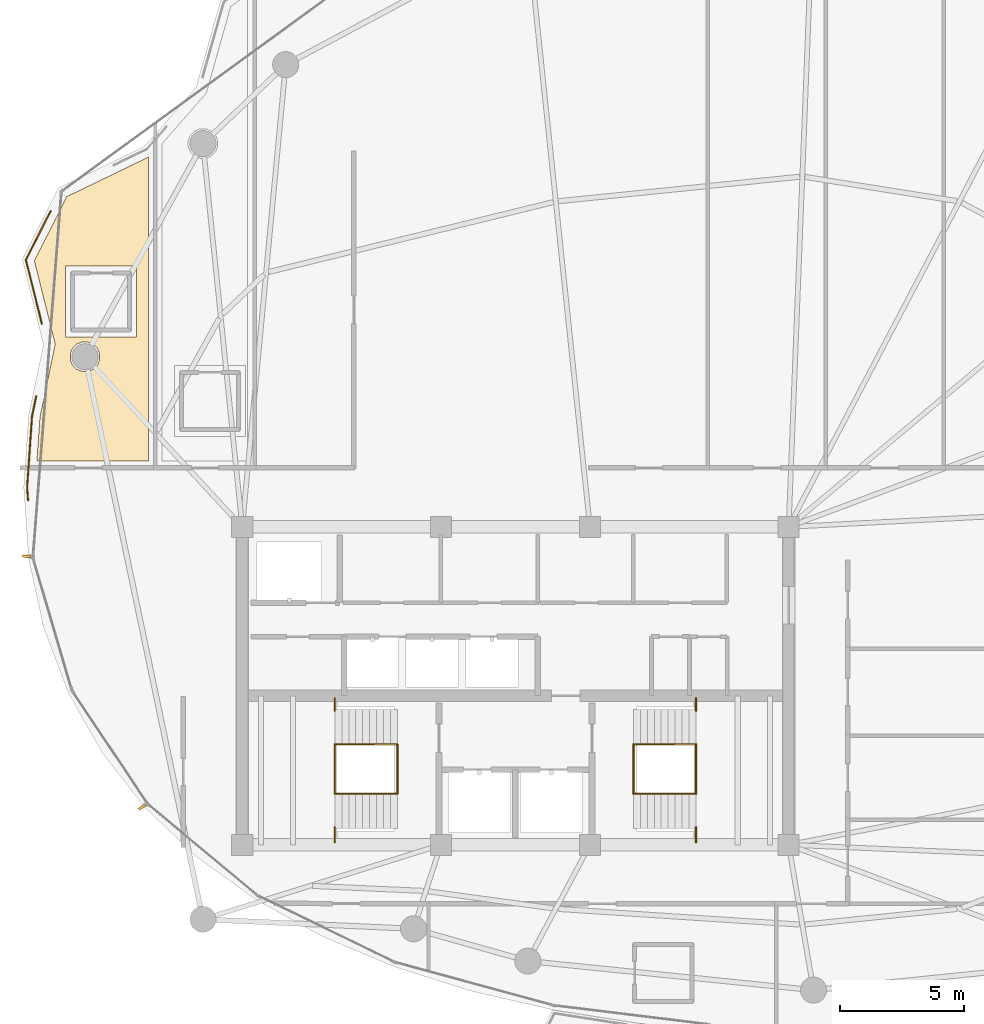
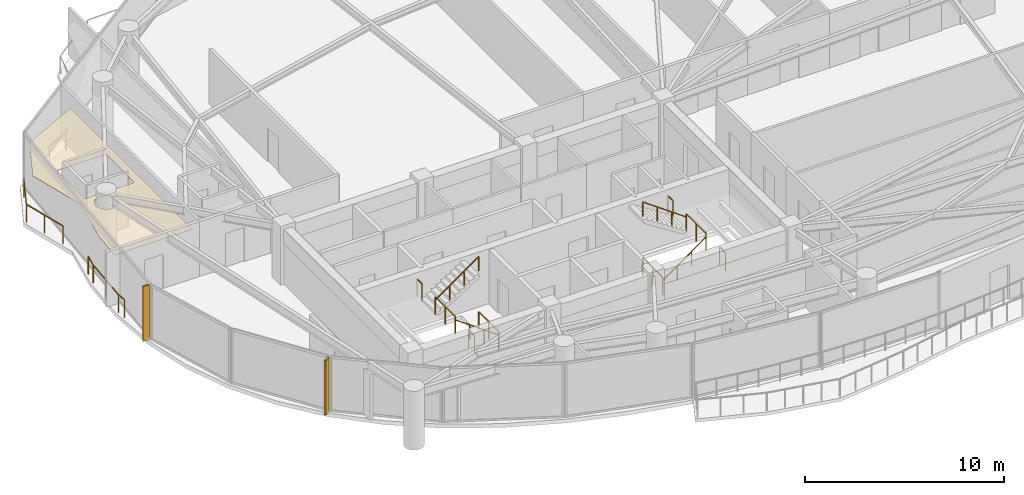
# One storey, part 29 of 31: 14 railings, 2 shading devices, 1 covering.
"""IFC4 building model written with IfcOpenShell, lengths in metres."""

from ifc_helpers import new_model, si_unit, direction, frame, origin, origin_2d, place, context, subcontext, project, spatial, polyline, rectangle, outline, extrude, material, layer, layer_set, type_object, element, save


model = new_model("IFC4")

# Units and contexts
model_context = context("Model", 3, precision=1e-05, world=origin(), true_north=direction((0.0, 1.0)))
body_context = subcontext(model_context, "Body", "Model", "MODEL_VIEW")
ifc_project = project(units=[si_unit("LENGTHUNIT", "METRE"), si_unit("AREAUNIT", "SQUARE_METRE"), si_unit("VOLUMEUNIT", "CUBIC_METRE"), si_unit("PLANEANGLEUNIT", "RADIAN"), si_unit("MASSUNIT", "GRAM", prefix="KILO")], contexts=[model_context])

# Site, building, storey
site_placement = place(None, origin())
site = spatial("IfcSite", under=ifc_project, at=site_placement, CompositionType="ELEMENT")
building_placement = place(site_placement, origin())
building = spatial("IfcBuilding", under=site, at=building_placement, Name="Kazevale Care Tower and Concert Hall", CompositionType="ELEMENT")
storey_placement = place(building_placement, frame((0.0, 0.0, 210.0)))
storey = spatial("IfcBuildingStorey", under=building, at=storey_placement, Name="L55", CompositionType="ELEMENT", Elevation=210.0)

# Covering
ifc_material_1 = material(Name="Acoustic Plaster and Hinoki Wood", Category="wood")
ifc_layer = layer(ifc_material_1, 0.0400390625)
ifc_layer_set = layer_set([ifc_layer], Name="Acoustic Plaster and Hinoki Wood")
covering_type = type_object("IfcCoveringType", Name="Acoustic Perforated Wood-Gypsum Ceiling", PredefinedType="CEILING", material=ifc_layer_set)
covering_placement = place(storey_placement, frame((0.0, 0.0, 2.7099609375)))
element("IfcCovering", 1, at=covering_placement, inside=storey, type_object=covering_type, Name="clg:L55:1", PredefinedType="CEILING", context=body_context, shape_type="SweptSolid", body=[
    extrude(outline(polyline([(13.632080078125, 47.111083984375), (14.93310546875, 49.694091796875), (18.219970703125, 51.285888671875), (18.219970703125, 39.054931640625), (13.73388671875, 39.054931640625), (13.85693359375, 40.824951171875), (14.468994140625, 43.75), (13.632080078125, 47.111083984375)]), holes=[polyline([(14.887939453125, 46.905029296875), (14.887939453125, 44.044921875), (17.748046875, 44.044921875), (17.748046875, 46.905029296875), (14.887939453125, 46.905029296875)]), polyline([(16.262939453125, 43.367919921875), (16.173095703125, 43.5859375), (16.006103515625, 43.7529296875), (15.7880859375, 43.843017578125), (15.552001953125, 43.843017578125), (15.333984375, 43.7529296875), (15.1669921875, 43.5859375), (15.076904296875, 43.367919921875), (15.076904296875, 43.132080078125), (15.1669921875, 42.9140625), (15.333984375, 42.7470703125), (15.552001953125, 42.656982421875), (15.7880859375, 42.656982421875), (16.006103515625, 42.7470703125), (16.173095703125, 42.9140625), (16.262939453125, 43.132080078125), (16.262939453125, 43.367919921875)])]), origin(), (0.0, 0.0, 1.0), 0.0400390625),
])

# Railings
ifc_material_2 = material(Name="Anodised Bronze Aluminium and Laminated Glass", Category="aluminium")
railing_type_1 = type_object("IfcRailingType", Name="Balcony and Terrace Balustrade 1120", PredefinedType="BALUSTRADE", material=ifc_material_2)
railing_1_placement = place(storey_placement, frame((13.3779296875, 37.467041015625, 0.0)))
element("IfcRailing", 2, at=railing_1_placement, inside=storey, type_object=railing_type_1, Name="rail:L55:perim:1", PredefinedType="BALUSTRADE", context=body_context, shape_type="SweptSolid", body=[
    extrude(rectangle(XDim=0.048095703125, YDim=0.048095703125, at=origin_2d()), frame((0.0, 0.0, 1.09619140625), z_axis=(-0.070824900757, 0.997488763562, 0.0), x_axis=(-0.997488763562, -0.070824900757, 0.0)), (0.0, 0.0, 1.0), 0.5341796875),
    extrude(rectangle(XDim=0.048095703125, YDim=0.048095703125, at=origin_2d()), frame((-0.037841796875, 0.532958984375, 1.09619140625), z_axis=(0.069189590327, 0.997603528758, 0.0), x_axis=(-0.997603528758, 0.069189590327, 0.0)), (0.0, 0.0, 1.0), 2.875732421875),
    extrude(rectangle(XDim=0.048095703125, YDim=0.048095703125, at=origin_2d()), frame((0.1611328125, 3.40185546875, 1.09619140625), z_axis=(0.204489697566, 0.978868716218, 0.0), x_axis=(-0.978868716218, 0.204489697566, 0.0)), (0.0, 0.0, 1.0), 0.801025390625),
    extrude(rectangle(XDim=0.0419921875, YDim=0.0419921875, at=origin_2d()), origin(), (0.0, 0.0, 1.0), 1.072021484375),
    extrude(rectangle(XDim=0.0419921875, YDim=0.0419921875, at=origin_2d()), frame((-0.037841796875, 0.532958984375, 0.0)), (0.0, 0.0, 1.0), 1.072021484375),
    extrude(rectangle(XDim=0.0419921875, YDim=0.0419921875, at=origin_2d()), frame((0.0615234375, 1.96728515625, 0.0)), (0.0, 0.0, 1.0), 1.072021484375),
    extrude(rectangle(XDim=0.0419921875, YDim=0.0419921875, at=origin_2d()), frame((0.1611328125, 3.40185546875, 0.0)), (0.0, 0.0, 1.0), 1.072021484375),
    extrude(rectangle(XDim=0.0419921875, YDim=0.0419921875, at=origin_2d()), frame((0.324951171875, 4.18603515625, 0.0)), (0.0, 0.0, 1.0), 1.072021484375),
])
railing_2_placement = place(storey_placement, frame((13.930908203125, 44.5849609375, 0.0)))
element("IfcRailing", 3, at=railing_2_placement, inside=storey, type_object=railing_type_1, Name="rail:L55:perim:2", PredefinedType="BALUSTRADE", context=body_context, shape_type="SweptSolid", body=[
    extrude(rectangle(XDim=0.048095703125, YDim=0.048095703125, at=origin_2d()), frame((0.0, 0.0, 1.09619140625), z_axis=(-0.241796398664, 0.970327007556, 0.0), x_axis=(-0.970327007556, -0.241796398664, 0.0)), (0.0, 0.0, 1.0), 2.642333984375),
    extrude(rectangle(XDim=0.048095703125, YDim=0.048095703125, at=origin_2d()), frame((-0.638916015625, 2.56396484375, 1.09619140625), z_axis=(0.450269666924, 0.892892617871, 0.0), x_axis=(-0.892892617871, 0.450269666924, 0.0)), (0.0, 0.0, 1.0), 2.202880859375),
    extrude(rectangle(XDim=0.0419921875, YDim=0.0419921875, at=origin_2d()), origin(), (0.0, 0.0, 1.0), 1.072021484375),
    extrude(rectangle(XDim=0.0419921875, YDim=0.0419921875, at=origin_2d()), frame((-0.3193359375, 1.281982421875, 0.0)), (0.0, 0.0, 1.0), 1.072021484375),
    extrude(rectangle(XDim=0.0419921875, YDim=0.0419921875, at=origin_2d()), frame((-0.638916015625, 2.56396484375, 0.0)), (0.0, 0.0, 1.0), 1.072021484375),
    extrude(rectangle(XDim=0.0419921875, YDim=0.0419921875, at=origin_2d()), frame((0.35302734375, 4.531005859375, 0.0)), (0.0, 0.0, 1.0), 1.072021484375),
])
ifc_material_3 = material(Name="Stainless Steel 316", Category="steel")
railing_type_2 = type_object("IfcRailingType", Name="Stair Pitch Handrail 920", PredefinedType="HANDRAIL", material=ifc_material_3)
railing_3_placement = place(storey_placement, frame((28.25, 25.64990234375, 0.0)))
element("IfcRailing", 4, at=railing_3_placement, inside=storey, type_object=railing_type_2, Name="stair:L55:ST1:hr1", PredefinedType="HANDRAIL", context=body_context, shape_type="SweptSolid", body=[
    extrude(rectangle(XDim=0.048095703125, YDim=0.048095703125, at=origin_2d()), frame((0.0, 0.0, 0.89599609375), z_axis=(-0.813728144527, 0.0, 0.581245650998), x_axis=(0.0, -1.0, 0.0)), (0.0, 0.0, 1.0), 3.096923828125),
    extrude(rectangle(XDim=0.0419921875, YDim=0.0419921875, at=origin_2d()), origin(), (0.0, 0.0, 1.0), 0.871826171875),
    extrude(rectangle(XDim=0.0419921875, YDim=0.0419921875, at=origin_2d()), frame((-0.840087890625, 0.0, 0.60009765625)), (0.0, 0.0, 1.0), 0.871826171875),
    extrude(rectangle(XDim=0.0419921875, YDim=0.0419921875, at=origin_2d()), frame((-1.679931640625, 0.0, 1.199951171875)), (0.0, 0.0, 1.0), 0.871826171875),
    extrude(rectangle(XDim=0.0419921875, YDim=0.0419921875, at=origin_2d()), frame((-2.52001953125, 0.0, 1.800048828125)), (0.0, 0.0, 1.0), 0.871826171875),
])
for number, where, name in (
    (5, (25.72998046875, 27.64990234375, 1.800048828125), "stair:L55:ST1:hr2"),
    (6, (37.75, 25.64990234375, 0.0), "stair:L55:ST2:hr1"),
):
    element("IfcRailing", number, at=place(storey_placement, frame(where)), inside=storey, type_object=railing_type_2, Name=name, PredefinedType="HANDRAIL", context=body_context, shape_type="SweptSolid", body=[
        extrude(rectangle(XDim=0.048095703125, YDim=0.048095703125, at=origin_2d()), frame((0.0, 0.0, 0.89599609375), z_axis=(0.813728144527, 0.0, 0.581245650998), x_axis=(0.0, 1.0, 0.0)), (0.0, 0.0, 1.0), 3.096923828125),
        extrude(rectangle(XDim=0.0419921875, YDim=0.0419921875, at=origin_2d()), origin(), (0.0, 0.0, 1.0), 0.871826171875),
        extrude(rectangle(XDim=0.0419921875, YDim=0.0419921875, at=origin_2d()), frame((0.840087890625, 0.0, 0.60009765625)), (0.0, 0.0, 1.0), 0.871826171875),
        extrude(rectangle(XDim=0.0419921875, YDim=0.0419921875, at=origin_2d()), frame((1.679931640625, 0.0, 1.199951171875)), (0.0, 0.0, 1.0), 0.871826171875),
        extrude(rectangle(XDim=0.0419921875, YDim=0.0419921875, at=origin_2d()), frame((2.52001953125, 0.0, 1.800048828125)), (0.0, 0.0, 1.0), 0.871826171875),
    ])
railing_4_placement = place(storey_placement, frame((40.27001953125, 27.64990234375, 1.800048828125)))
element("IfcRailing", 7, at=railing_4_placement, inside=storey, type_object=railing_type_2, Name="stair:L55:ST2:hr2", PredefinedType="HANDRAIL", context=body_context, shape_type="SweptSolid", body=[
    extrude(rectangle(XDim=0.048095703125, YDim=0.048095703125, at=origin_2d()), frame((0.0, 0.0, 0.89599609375), z_axis=(-0.813728144527, 0.0, 0.581245650998), x_axis=(0.0, -1.0, 0.0)), (0.0, 0.0, 1.0), 3.096923828125),
    extrude(rectangle(XDim=0.0419921875, YDim=0.0419921875, at=origin_2d()), origin(), (0.0, 0.0, 1.0), 0.871826171875),
    extrude(rectangle(XDim=0.0419921875, YDim=0.0419921875, at=origin_2d()), frame((-0.840087890625, 0.0, 0.60009765625)), (0.0, 0.0, 1.0), 0.871826171875),
    extrude(rectangle(XDim=0.0419921875, YDim=0.0419921875, at=origin_2d()), frame((-1.679931640625, 0.0, 1.199951171875)), (0.0, 0.0, 1.0), 0.871826171875),
    extrude(rectangle(XDim=0.0419921875, YDim=0.0419921875, at=origin_2d()), frame((-2.52001953125, 0.0, 1.800048828125)), (0.0, 0.0, 1.0), 0.871826171875),
])
railing_type_3 = type_object("IfcRailingType", Name="Stair Well Guard Balustrade 1120", PredefinedType="BALUSTRADE", material=ifc_material_3)
railing_5_placement = place(storey_placement, frame((25.72998046875, 23.699951171875, 1.800048828125)))
element("IfcRailing", 8, at=railing_5_placement, inside=storey, type_object=railing_type_3, Name="stair:L55:ST1:grd_side1", PredefinedType="BALUSTRADE", context=body_context, shape_type="SweptSolid", body=[
    extrude(rectangle(XDim=0.048095703125, YDim=0.048095703125, at=origin_2d()), frame((0.0, 0.0, 1.09619140625), z_axis=(0.0, 1.0, 0.0), x_axis=(-1.0, 0.0, 0.0)), (0.0, 0.0, 1.0), 0.610107421875),
    extrude(rectangle(XDim=0.0419921875, YDim=0.0419921875, at=origin_2d()), origin(), (0.0, 0.0, 1.0), 1.072021484375),
    extrude(rectangle(XDim=0.0419921875, YDim=0.0419921875, at=origin_2d()), frame((0.0, 0.610107421875, 0.0)), (0.0, 0.0, 1.0), 1.072021484375),
])
railing_6_placement = place(storey_placement, frame((25.72998046875, 28.989990234375, 1.800048828125)))
element("IfcRailing", 9, at=railing_6_placement, inside=storey, type_object=railing_type_3, Name="stair:L55:ST1:grd_side2", PredefinedType="BALUSTRADE", context=body_context, shape_type="SweptSolid", body=[
    extrude(rectangle(XDim=0.048095703125, YDim=0.048095703125, at=origin_2d()), frame((0.0, 0.0, 1.09619140625), z_axis=(0.0, 1.0, 0.0), x_axis=(-1.0, 0.0, 0.0)), (0.0, 0.0, 1.0), 0.510009765625),
    extrude(rectangle(XDim=0.0419921875, YDim=0.0419921875, at=origin_2d()), origin(), (0.0, 0.0, 1.0), 1.072021484375),
    extrude(rectangle(XDim=0.0419921875, YDim=0.0419921875, at=origin_2d()), frame((0.0, 0.510009765625, 0.0)), (0.0, 0.0, 1.0), 1.072021484375),
])
for number, where, name in (
    (10, (25.72998046875, 25.64990234375, 1.800048828125), "stair:L55:ST1:grd_mid"),
    (11, (28.25, 25.64990234375, 0.0), "stair:L55:ST1:grd_flr"),
):
    element("IfcRailing", number, at=place(storey_placement, frame(where)), inside=storey, type_object=railing_type_3, Name=name, PredefinedType="BALUSTRADE", context=body_context, shape_type="SweptSolid", body=[
        extrude(rectangle(XDim=0.048095703125, YDim=0.048095703125, at=origin_2d()), frame((0.0, 0.0, 1.09619140625), z_axis=(0.0, 1.0, 0.0), x_axis=(-1.0, 0.0, 0.0)), (0.0, 0.0, 1.0), 2.0),
        extrude(rectangle(XDim=0.0419921875, YDim=0.0419921875, at=origin_2d()), origin(), (0.0, 0.0, 1.0), 1.072021484375),
        extrude(rectangle(XDim=0.0419921875, YDim=0.0419921875, at=origin_2d()), frame((0.0, 1.0, 0.0)), (0.0, 0.0, 1.0), 1.072021484375),
        extrude(rectangle(XDim=0.0419921875, YDim=0.0419921875, at=origin_2d()), frame((0.0, 2.0, 0.0)), (0.0, 0.0, 1.0), 1.072021484375),
    ])
railing_7_placement = place(storey_placement, frame((40.27001953125, 23.699951171875, 1.800048828125)))
element("IfcRailing", 12, at=railing_7_placement, inside=storey, type_object=railing_type_3, Name="stair:L55:ST2:grd_side1", PredefinedType="BALUSTRADE", context=body_context, shape_type="SweptSolid", body=[
    extrude(rectangle(XDim=0.048095703125, YDim=0.048095703125, at=origin_2d()), frame((0.0, 0.0, 1.09619140625), z_axis=(0.0, 1.0, 0.0), x_axis=(-1.0, 0.0, 0.0)), (0.0, 0.0, 1.0), 0.610107421875),
    extrude(rectangle(XDim=0.0419921875, YDim=0.0419921875, at=origin_2d()), origin(), (0.0, 0.0, 1.0), 1.072021484375),
    extrude(rectangle(XDim=0.0419921875, YDim=0.0419921875, at=origin_2d()), frame((0.0, 0.610107421875, 0.0)), (0.0, 0.0, 1.0), 1.072021484375),
])
railing_8_placement = place(storey_placement, frame((40.27001953125, 28.989990234375, 1.800048828125)))
element("IfcRailing", 13, at=railing_8_placement, inside=storey, type_object=railing_type_3, Name="stair:L55:ST2:grd_side2", PredefinedType="BALUSTRADE", context=body_context, shape_type="SweptSolid", body=[
    extrude(rectangle(XDim=0.048095703125, YDim=0.048095703125, at=origin_2d()), frame((0.0, 0.0, 1.09619140625), z_axis=(0.0, 1.0, 0.0), x_axis=(-1.0, 0.0, 0.0)), (0.0, 0.0, 1.0), 0.510009765625),
    extrude(rectangle(XDim=0.0419921875, YDim=0.0419921875, at=origin_2d()), origin(), (0.0, 0.0, 1.0), 1.072021484375),
    extrude(rectangle(XDim=0.0419921875, YDim=0.0419921875, at=origin_2d()), frame((0.0, 0.510009765625, 0.0)), (0.0, 0.0, 1.0), 1.072021484375),
])
for number, where, name in (
    (14, (40.27001953125, 25.64990234375, 1.800048828125), "stair:L55:ST2:grd_mid"),
    (15, (37.75, 25.64990234375, 0.0), "stair:L55:ST2:grd_flr"),
):
    element("IfcRailing", number, at=place(storey_placement, frame(where)), inside=storey, type_object=railing_type_3, Name=name, PredefinedType="BALUSTRADE", context=body_context, shape_type="SweptSolid", body=[
        extrude(rectangle(XDim=0.048095703125, YDim=0.048095703125, at=origin_2d()), frame((0.0, 0.0, 1.09619140625), z_axis=(0.0, 1.0, 0.0), x_axis=(-1.0, 0.0, 0.0)), (0.0, 0.0, 1.0), 2.0),
        extrude(rectangle(XDim=0.0419921875, YDim=0.0419921875, at=origin_2d()), origin(), (0.0, 0.0, 1.0), 1.072021484375),
        extrude(rectangle(XDim=0.0419921875, YDim=0.0419921875, at=origin_2d()), frame((0.0, 1.0, 0.0)), (0.0, 0.0, 1.0), 1.072021484375),
        extrude(rectangle(XDim=0.0419921875, YDim=0.0419921875, at=origin_2d()), frame((0.0, 2.0, 0.0)), (0.0, 0.0, 1.0), 1.072021484375),
    ])

# Shading devices
ifc_material_4 = material(Name="Anodised Bronze Aluminium", Category="aluminium")
shading_device_type = type_object("IfcShadingDeviceType", Name="Waist Anodised Bronze-Stone Fin FIN-02", PredefinedType="USERDEFINED", material=ifc_material_4)
for number, where, z_axis, x_axis, name in (
    (16, (17.972900390625, 25.121337890625, 0.0), (0.0, 0.0, 1.0), (-0.832147748683, -0.554553986878, 0.0), "cw:L55:f11:fin"),
    (17, (13.326904296875, 35.216796875, 0.0), (0.0, 0.0, 1.0), (-0.996985422604, 0.077589091471, 0.0), "cw:L55:f13:fin"),
):
    element("IfcShadingDevice", number, at=place(storey_placement, frame(where, z_axis=z_axis, x_axis=x_axis)), inside=storey, type_object=shading_device_type, Name=name, ObjectType="FIN", PredefinedType="USERDEFINED", context=body_context, shape_type="SweptSolid", body=[
        extrude(rectangle(XDim=0.340087890625, YDim=0.10009765625, at=origin_2d()), origin(), (0.0, 0.0, 1.0), 3.360107421875),
    ])

save(model, "model.ifc")
